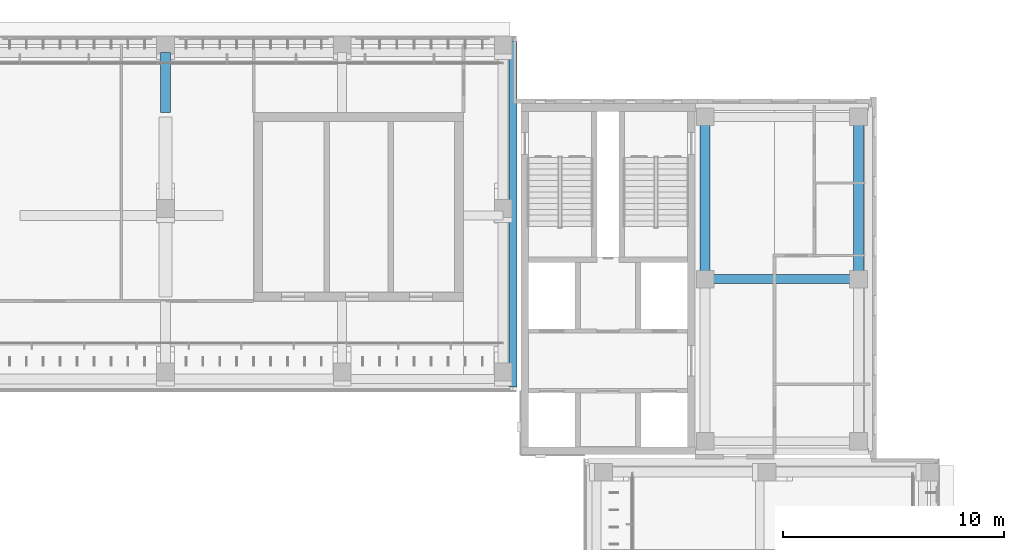
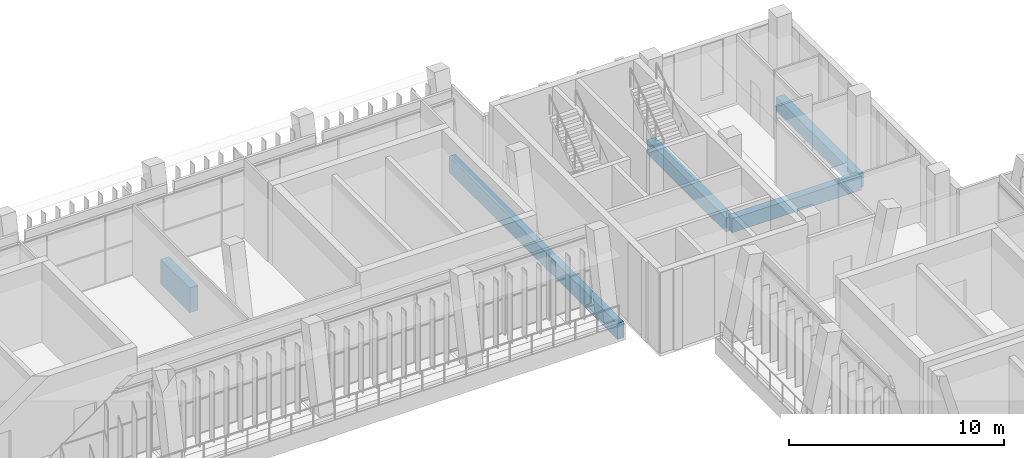
# One storey, part 46 of 89: 5 beams.
"""IFC4 building model written with IfcOpenShell, lengths in metres."""

from ifc_helpers import new_model, si_unit, direction, frame, origin, origin_2d, place, context, subcontext, project, spatial, rectangle, extrude, material, material_profile, profile_set, type_object, element, save


model = new_model("IFC4")

# Units and contexts
model_context = context("Model", 3, precision=1e-05, world=origin(), true_north=direction((0.0, 1.0)))
body_context = subcontext(model_context, "Body", "Model", "MODEL_VIEW")
ifc_project = project(units=[si_unit("LENGTHUNIT", "METRE"), si_unit("AREAUNIT", "SQUARE_METRE"), si_unit("VOLUMEUNIT", "CUBIC_METRE"), si_unit("PLANEANGLEUNIT", "RADIAN"), si_unit("MASSUNIT", "GRAM", prefix="KILO")], contexts=[model_context])

# Site, building, storey
site_placement = place(None, origin())
site = spatial("IfcSite", under=ifc_project, at=site_placement, CompositionType="ELEMENT")
building_placement = place(site_placement, origin())
building = spatial("IfcBuilding", under=site, at=building_placement, Name="Lantern Court Media Centre", CompositionType="ELEMENT")
storey_placement = place(building_placement, frame((0.0, 0.0, 14.39990234375)))
storey = spatial("IfcBuildingStorey", under=building, at=storey_placement, Name="L03", CompositionType="ELEMENT", Elevation=14.39990234375)

# Beams
ifc_material = material(Name="Concrete C35", Category="concrete")
ifc_material_profile_1 = material_profile(ifc_material, rectangle(XDim=0.35009765625, YDim=0.89990234375, at=origin_2d()), Name="RC 350x900")
ifc_profile_set_1 = profile_set([ifc_material_profile_1], Name="Concrete C35")
beam_type_1 = type_object("IfcBeamType", Name="RC BEAM 350x900", PredefinedType="BEAM", material=ifc_profile_set_1)
beam_1_placement = place(storey_placement, frame((79.75, 99.14990234375, -0.449951171875), z_axis=(0.0, 1.0, 0.0), x_axis=(-1.0, 0.0, 0.0)))
element("IfcBeam", 1, at=beam_1_placement, inside=storey, type_object=beam_type_1, Name="EB-N-L03-D", PredefinedType="BEAM", context=body_context, shape_type="SweptSolid", body=[
    extrude(rectangle(XDim=0.35009765625, YDim=0.89990234375, at=origin_2d()), origin(), (0.0, 0.0, 1.0), 15.7001953125),
])
ifc_material_profile_2 = material_profile(ifc_material, rectangle(XDim=0.39990234375, YDim=0.800048828125, at=origin_2d()), Name="RC 400x800")
ifc_profile_set_2 = profile_set([ifc_material_profile_2], Name="Concrete C35")
beam_type_2 = type_object("IfcBeamType", Name="RC BEAM 400x800", PredefinedType="BEAM", material=ifc_profile_set_2)
beam_2_placement = place(storey_placement, frame((88.449951171875, 104.050048828125, -0.39990234375), z_axis=(1.0, 0.0, 0.0), x_axis=(0.0, 1.0, 0.0)))
element("IfcBeam", 2, at=beam_2_placement, inside=storey, type_object=beam_type_2, Name="BB-NE-L03-Y0-104", PredefinedType="BEAM", context=body_context, shape_type="SweptSolid", body=[
    extrude(rectangle(XDim=0.39990234375, YDim=0.800048828125, at=origin_2d()), origin(), (0.0, 0.0, 1.0), 6.949951171875),
])
ifc_material_profile_3 = material_profile(ifc_material, rectangle(XDim=0.449951171875, YDim=1.39990234375, at=origin_2d()), Name="RC 450x1400")
ifc_profile_set_3 = profile_set([ifc_material_profile_3], Name="Concrete C35")
beam_type_3 = type_object("IfcBeamType", Name="RC BEAM 450x1400", PredefinedType="BEAM", material=ifc_profile_set_3)
beam_3_placement = place(storey_placement, frame((64.0, 111.60009765625, -0.699951171875), z_axis=(0.0, 1.0, 0.0), x_axis=(-1.0, 0.0, 0.0)))
element("IfcBeam", 3, at=beam_3_placement, inside=storey, type_object=beam_type_3, Name="TB-N-L03-5-12", PredefinedType="BEAM", context=body_context, shape_type="SweptSolid", body=[
    extrude(rectangle(XDim=0.449951171875, YDim=1.39990234375, at=origin_2d()), origin(), (0.0, 0.0, 1.0), 2.716552734375),
])
ifc_material_profile_4 = material_profile(ifc_material, rectangle(XDim=0.449951171875, YDim=0.800048828125, at=origin_2d()), Name="RC 450x800")
ifc_profile_set_4 = profile_set([ifc_material_profile_4], Name="Concrete C35")
beam_type_4 = type_object("IfcBeamType", Name="RC BEAM 450x800", PredefinedType="BEAM", material=ifc_profile_set_4)
for number, where, z_axis, x_axis, name in (
    (4, (88.449951171875, 104.050048828125, -0.39990234375), (0.0, 1.0, 0.0), (-1.0, 0.0, 0.0), "BB-NE-L03-X1-88"),
    (5, (95.39990234375, 104.050048828125, -0.39990234375), (0.0, 1.0, 0.0), (-1.0, 0.0, 0.0), "BB-NE-L03-X1-95"),
):
    element("IfcBeam", number, at=place(storey_placement, frame(where, z_axis=z_axis, x_axis=x_axis)), inside=storey, type_object=beam_type_4, Name=name, PredefinedType="BEAM", context=body_context, shape_type="SweptSolid", body=[
        extrude(rectangle(XDim=0.449951171875, YDim=0.800048828125, at=origin_2d()), origin(), (0.0, 0.0, 1.0), 7.349853515625),
    ])

save(model, "model.ifc")
